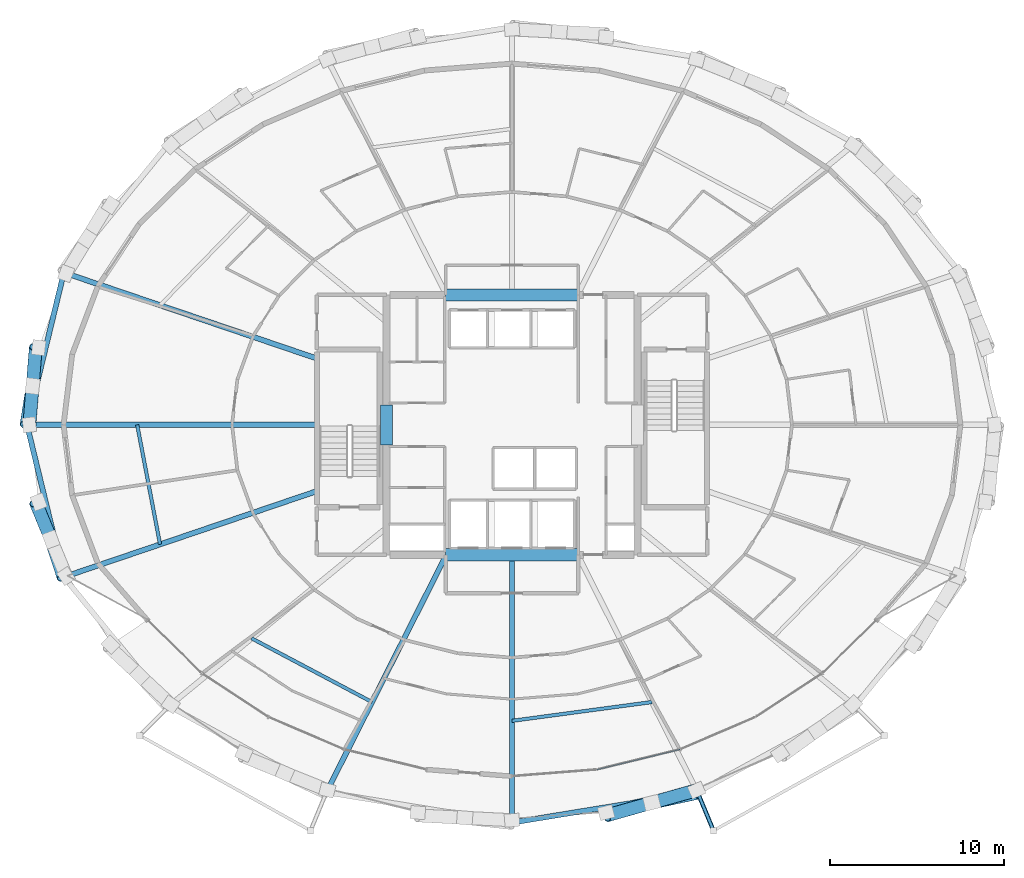
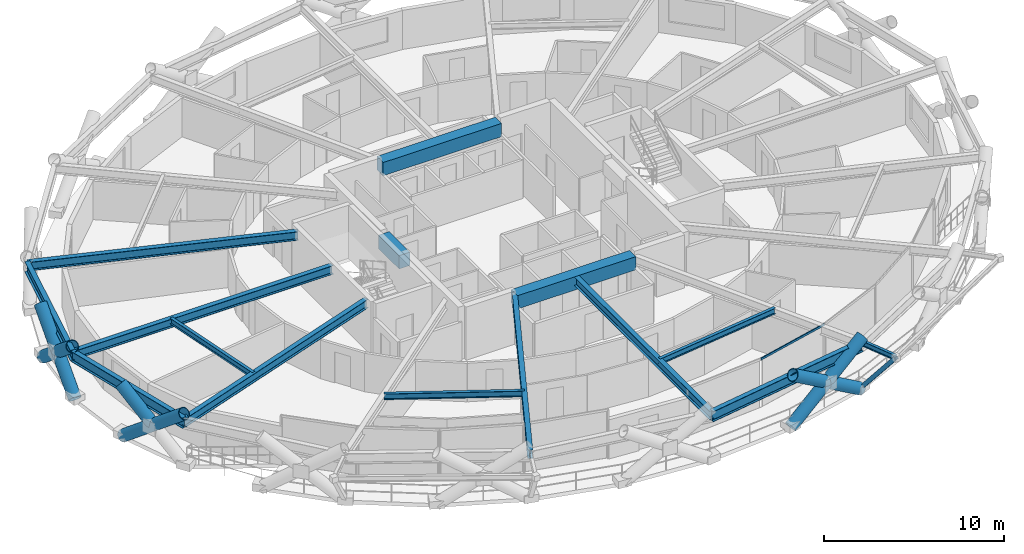
# One storey, part 5 of 19: 15 beams, 10 members, 1 element without a shape of its own.
"""IFC4 building model written with IfcOpenShell, lengths in metres."""

from ifc_helpers import new_model, si_unit, direction, frame, origin, origin_2d, place, context, subcontext, project, spatial, rectangle, hollow_rectangle, hollow_circle, i_section, extrude, material, layer, layer_set, material_profile, profile_set, type_object, element, aggregate, save


model = new_model("IFC4")

# Units and contexts
model_context = context("Model", 3, precision=1e-05, world=origin(), true_north=direction((0.0, 1.0)))
body_context = subcontext(model_context, "Body", "Model", "MODEL_VIEW")
ifc_project = project(units=[si_unit("LENGTHUNIT", "METRE"), si_unit("AREAUNIT", "SQUARE_METRE"), si_unit("VOLUMEUNIT", "CUBIC_METRE"), si_unit("PLANEANGLEUNIT", "RADIAN"), si_unit("MASSUNIT", "GRAM", prefix="KILO")], contexts=[model_context])

# Site, building, storey
site_placement = place(None, origin())
site = spatial("IfcSite", under=ifc_project, at=site_placement, CompositionType="ELEMENT")
building_placement = place(site_placement, origin())
building = spatial("IfcBuilding", under=site, at=building_placement, Name="Veldorina Hangang Commons", CompositionType="ELEMENT")
storey_placement = place(building_placement, frame((0.0, 0.0, 34.0)))
storey = spatial("IfcBuildingStorey", under=building, at=storey_placement, Name="L07", CompositionType="ELEMENT", Elevation=34.0)

# Beams
ifc_material_1 = material(Name="Concrete C70/85", Category="concrete")
ifc_material_profile_1 = material_profile(ifc_material_1, rectangle(XDim=0.699951171875, YDim=0.89990234375, at=origin_2d()), Name="RC-CB-700x900")
ifc_profile_set_1 = profile_set([ifc_material_profile_1], Name="Concrete C70/85")
beam_type_1 = type_object("IfcBeamType", Name="BM-CB900", PredefinedType="LINTEL", material=ifc_profile_set_1)
beam_1_placement = place(storey_placement, frame((24.800048828125, 22.85009765625, 2.889892578125), z_axis=(0.0, 1.0, 0.0), x_axis=(-1.0, 0.0, 0.0)))
element("IfcBeam", 1, at=beam_1_placement, inside=storey, type_object=beam_type_1, Name="L07 W core coupling lintel beam", PredefinedType="LINTEL", context=body_context, shape_type="SweptSolid", body=[
    extrude(rectangle(XDim=0.699951171875, YDim=0.89990234375, at=origin_2d()), origin(), (0.0, 0.0, 1.0), 2.2998046875),
])
for number, where, z_axis, x_axis, name in (
    (2, (28.199951171875, 16.550048828125, 2.889892578125), (1.0, 0.0, 0.0), (0.0, 1.0, 0.0), "L07 south core coupling beam"),
    (3, (28.199951171875, 31.449951171875, 2.889892578125), (1.0, 0.0, 0.0), (0.0, 1.0, 0.0), "L07 north core coupling beam"),
):
    element("IfcBeam", number, at=place(storey_placement, frame(where, z_axis=z_axis, x_axis=x_axis)), inside=storey, type_object=beam_type_1, Name=name, PredefinedType="LINTEL", context=body_context, shape_type="SweptSolid", body=[
        extrude(rectangle(XDim=0.699951171875, YDim=0.89990234375, at=origin_2d()), origin(), (0.0, 0.0, 1.0), 7.60009765625),
    ])
ifc_material_2 = material(Name="Steel SM355-TMC", Category="steel")
ifc_material_profile_2 = material_profile(ifc_material_2, i_section(OverallWidth=0.175048828125, OverallDepth=0.35009765625, WebThickness=0.007080078125, FlangeThickness=0.010986328125, FilletRadius=0.012939453125, at=origin_2d()), Name="H-350x175x7x11")
ifc_profile_set_2 = profile_set([ifc_material_profile_2], Name="Steel SM355-TMC")
beam_type_2 = type_object("IfcBeamType", Name="BM-FG350", PredefinedType="BEAM", material=ifc_profile_set_2)
beam_2_placement = place(storey_placement, frame((42.651611328125, 2.904296875, 3.1650390625), z_axis=(0.382630118564, -0.923901614008, 0.0), x_axis=(0.923901614008, 0.382630118564, 0.0)))
element("IfcBeam", 4, at=beam_2_placement, inside=storey, type_object=beam_type_2, Name="L08 tree balcony 2 bracket beam A", PredefinedType="BEAM", context=body_context, shape_type="SweptSolid", body=[
    extrude(i_section(OverallWidth=0.175048828125, OverallDepth=0.35009765625, WebThickness=0.007080078125, FlangeThickness=0.010986328125, FilletRadius=0.012939453125, at=origin_2d()), origin(), (0.0, 0.0, 1.0), 2.349853515625),
])
ifc_material_3 = material(Name="Steel SM460-TMC", Category="steel")
ifc_material_profile_3 = material_profile(ifc_material_3, i_section(OverallWidth=0.300048828125, OverallDepth=0.587890625, WebThickness=0.011962890625, FlangeThickness=0.02001953125, FilletRadius=0.01806640625, at=origin_2d()), Name="H-588x300x12x20")
ifc_profile_set_3 = profile_set([ifc_material_profile_3], Name="Steel SM460-TMC")
beam_type_3 = type_object("IfcBeamType", Name="BM-FG588", PredefinedType="BEAM", material=ifc_profile_set_3)
beam_3_placement = place(storey_placement, frame((20.820068359375, 27.798095703125, 3.0458984375), z_axis=(-0.946851377923, 0.321671366654, 0.0), x_axis=(-0.321671366654, -0.946851377923, 0.0)))
element("IfcBeam", 5, at=beam_3_placement, inside=storey, type_object=beam_type_3, Name="L07 radial floor girder 08", PredefinedType="BEAM", context=body_context, shape_type="SweptSolid", body=[
    extrude(i_section(OverallWidth=0.300048828125, OverallDepth=0.587890625, WebThickness=0.011962890625, FlangeThickness=0.02001953125, FilletRadius=0.01806640625, at=origin_2d()), origin(), (0.0, 0.0, 1.0), 15.32373046875),
])
beam_4_placement = place(storey_placement, frame((20.820068359375, 24.0, 3.0458984375), z_axis=(-1.0, 0.0, 0.0), x_axis=(0.0, -1.0, 0.0)))
element("IfcBeam", 6, at=beam_4_placement, inside=storey, type_object=beam_type_3, Name="L07 radial floor girder 09", PredefinedType="BEAM", context=body_context, shape_type="SweptSolid", body=[
    extrude(i_section(OverallWidth=0.300048828125, OverallDepth=0.587890625, WebThickness=0.011962890625, FlangeThickness=0.02001953125, FilletRadius=0.01806640625, at=origin_2d()), origin(), (0.0, 0.0, 1.0), 16.625732421875),
])
beam_5_placement = place(storey_placement, frame((20.820068359375, 20.201904296875, 3.0458984375), z_axis=(-0.946851377923, -0.321671366654, 0.0), x_axis=(0.321671366654, -0.946851377923, 0.0)))
element("IfcBeam", 7, at=beam_5_placement, inside=storey, type_object=beam_type_3, Name="L07 radial floor girder 10", PredefinedType="BEAM", context=body_context, shape_type="SweptSolid", body=[
    extrude(i_section(OverallWidth=0.300048828125, OverallDepth=0.587890625, WebThickness=0.011962890625, FlangeThickness=0.02001953125, FilletRadius=0.01806640625, at=origin_2d()), origin(), (0.0, 0.0, 1.0), 15.32373046875),
])
beam_6_placement = place(storey_placement, frame((28.237548828125, 16.550048828125, 3.0458984375), z_axis=(-0.450794213183, -0.892627905322, 0.0), x_axis=(0.892627905322, -0.450794213183, 0.0)))
element("IfcBeam", 8, at=beam_6_placement, inside=storey, type_object=beam_type_3, Name="L07 radial floor girder 12", PredefinedType="BEAM", context=body_context, shape_type="SweptSolid", body=[
    extrude(i_section(OverallWidth=0.300048828125, OverallDepth=0.587890625, WebThickness=0.011962890625, FlangeThickness=0.02001953125, FilletRadius=0.01806640625, at=origin_2d()), origin(), (0.0, 0.0, 1.0), 15.2578125),
])
beam_7_placement = place(storey_placement, frame((32.0, 16.550048828125, 3.0458984375), z_axis=(0.0, -1.0, 0.0), x_axis=(1.0, 0.0, 0.0)))
element("IfcBeam", 9, at=beam_7_placement, inside=storey, type_object=beam_type_3, Name="L07 radial floor girder 13", PredefinedType="BEAM", context=body_context, shape_type="SweptSolid", body=[
    extrude(i_section(OverallWidth=0.300048828125, OverallDepth=0.587890625, WebThickness=0.011962890625, FlangeThickness=0.02001953125, FilletRadius=0.01806640625, at=origin_2d()), origin(), (0.0, 0.0, 1.0), 15.355712890625),
])
ifc_material_profile_4 = material_profile(ifc_material_2, i_section(OverallWidth=0.199951171875, OverallDepth=0.39990234375, WebThickness=0.008056640625, FlangeThickness=0.012939453125, FilletRadius=0.012939453125, at=origin_2d()), Name="H-400x200x8x13")
ifc_profile_set_4 = profile_set([ifc_material_profile_4], Name="Steel SM355-TMC")
beam_type_4 = type_object("IfcBeamType", Name="BM-JST400", PredefinedType="JOIST", material=ifc_profile_set_4)
beam_8_placement = place(storey_placement, frame((10.51220703125, 24.0, 3.139892578125), z_axis=(0.188036370553, -0.982162065725, 0.0), x_axis=(0.982162065725, 0.188036370553, 0.0)))
element("IfcBeam", 10, at=beam_8_placement, inside=storey, type_object=beam_type_4, Name="L07 secondary floor joist 09", PredefinedType="JOIST", context=body_context, shape_type="SweptSolid", body=[
    extrude(i_section(OverallWidth=0.199951171875, OverallDepth=0.39990234375, WebThickness=0.008056640625, FlangeThickness=0.012939453125, FilletRadius=0.012939453125, at=origin_2d()), origin(), (0.0, 0.0, 1.0), 6.978759765625),
])
beam_9_placement = place(storey_placement, frame((17.07373046875, 11.7578125, 3.139892578125), z_axis=(0.883816061756, -0.467834553001, 0.0), x_axis=(0.467834553001, 0.883816061756, 0.0)))
element("IfcBeam", 11, at=beam_9_placement, inside=storey, type_object=beam_type_4, Name="L07 secondary floor joist 11", PredefinedType="JOIST", context=body_context, shape_type="SweptSolid", body=[
    extrude(i_section(OverallWidth=0.199951171875, OverallDepth=0.39990234375, WebThickness=0.008056640625, FlangeThickness=0.012939453125, FilletRadius=0.012939453125, at=origin_2d()), origin(), (0.0, 0.0, 1.0), 7.806396484375),
])
beam_10_placement = place(storey_placement, frame((32.0, 7.029541015625, 3.139892578125), z_axis=(0.991131805581, 0.132882444157, 0.0), x_axis=(-0.132882444157, 0.991131805581, 0.0)))
element("IfcBeam", 12, at=beam_10_placement, inside=storey, type_object=beam_type_4, Name="L07 secondary floor joist 13", PredefinedType="JOIST", context=body_context, shape_type="SweptSolid", body=[
    extrude(i_section(OverallWidth=0.199951171875, OverallDepth=0.39990234375, WebThickness=0.008056640625, FlangeThickness=0.012939453125, FilletRadius=0.012939453125, at=origin_2d()), origin(), (0.0, 0.0, 1.0), 8.0986328125),
])
ifc_material_profile_5 = material_profile(ifc_material_3, i_section(OverallWidth=0.300048828125, OverallDepth=0.699951171875, WebThickness=0.012939453125, FlangeThickness=0.02392578125, FilletRadius=0.02197265625, at=origin_2d()), Name="H-700x300x13x24")
ifc_profile_set_5 = profile_set([ifc_material_profile_5], Name="Steel SM460-TMC")
beam_type_5 = type_object("IfcBeamType", Name="BM-RB700", PredefinedType="BEAM", material=ifc_profile_set_5)
for number, where, z_axis, x_axis, name in (
    (13, (6.310791015625, 32.727294921875, 2.989990234375), (-0.235678613021, -0.971831050834, 0.0), (0.971831050834, -0.235678613021, 0.0), "L07 perimeter hoop ring beam 14"),
    (14, (4.1943359375, 24.0, 2.989990234375), (0.235678613021, -0.971831050834, 0.0), (0.971831050834, 0.235678613021, 0.0), "L07 perimeter hoop ring beam 16"),
):
    element("IfcBeam", number, at=place(storey_placement, frame(where, z_axis=z_axis, x_axis=x_axis)), inside=storey, type_object=beam_type_5, Name=name, PredefinedType="BEAM", context=body_context, shape_type="SweptSolid", body=[
        extrude(i_section(OverallWidth=0.300048828125, OverallDepth=0.699951171875, WebThickness=0.012939453125, FlangeThickness=0.02392578125, FilletRadius=0.02197265625, at=origin_2d()), origin(), (0.0, 0.0, 1.0), 8.980224609375),
    ])
beam_11_placement = place(storey_placement, frame((32.0, 1.1943359375, 2.989990234375), z_axis=(0.986949998881, 0.161027015465, 0.0), x_axis=(-0.161027015465, 0.986949998881, 0.0)))
element("IfcBeam", 15, at=beam_11_placement, inside=storey, type_object=beam_type_5, Name="L07 perimeter hoop ring beam 24", PredefinedType="BEAM", context=body_context, shape_type="SweptSolid", body=[
    extrude(i_section(OverallWidth=0.300048828125, OverallDepth=0.699951171875, WebThickness=0.012939453125, FlangeThickness=0.02392578125, FilletRadius=0.02197265625, at=origin_2d()), origin(), (0.0, 0.0, 1.0), 10.78125),
])

# Curtain wall, member
ifc_material_4 = material(Name="Glass Low-E Triple IGU", Category="glass")
ifc_layer = layer(ifc_material_4, 0.179931640625)
ifc_layer_set = layer_set([ifc_layer], Name="Glass Low-E Triple IGU")
curtain_wall_type = type_object("IfcCurtainWallType", Name="CW-SYS-Z1", PredefinedType="NOTDEFINED", material=ifc_layer_set)
curtain_wall_placement = place(storey_placement, origin())
curtain_wall = element("IfcCurtainWall", 16, at=curtain_wall_placement, inside=storey, type_object=curtain_wall_type, Name="L07 unitised curtain wall CW-L07-R2", PredefinedType="NOTDEFINED")
ifc_material_5 = material(Name="Aluminium Anodized AA6063-T6", Category="aluminium")
ifc_material_profile_6 = material_profile(ifc_material_5, hollow_rectangle(XDim=0.06005859375, YDim=0.139892578125, WallThickness=0.00341796875, at=origin_2d()), Name="ALU-RHS-140x60x3.5")
ifc_profile_set_6 = profile_set([ifc_material_profile_6], Name="Aluminium Anodized AA6063-T6")
member_type_1 = type_object("IfcMemberType", Name="CW-TRN-140", PredefinedType="USERDEFINED", material=ifc_profile_set_6)
member_1_placement = place(storey_placement, frame((36.906005859375, 4.2392578125, 3.260009765625), z_axis=(0.971718767639, 0.236141137075, 0.0), x_axis=(-0.236141137075, 0.971718767639, 0.0)))
member_1 = element("IfcMember", 17, at=member_1_placement, type_object=member_type_1, Name="CW-L07-R2 facet 2 transom 1", ObjectType="TRANSOM", PredefinedType="USERDEFINED", context=body_context, shape_type="SweptSolid", body=[
    extrude(hollow_rectangle(XDim=0.06005859375, YDim=0.139892578125, WallThickness=0.00341796875, at=origin_2d()), origin(), (0.0, 0.0, 1.0), 4.85498046875),
])
aggregate(curtain_wall, [member_1])

# Members
ifc_material_profile_7 = material_profile(ifc_material_3, hollow_circle(Radius=0.375, WallThickness=0.035888671875, at=origin_2d()), Name="CHS-750x36")
ifc_profile_set_7 = profile_set([ifc_material_profile_7], Name="Steel SM460-TMC")
member_type_2 = type_object("IfcMemberType", Name="DG-CHS750", PredefinedType="BRACE", material=ifc_profile_set_7)
member_2_placement = place(storey_placement, frame((4.86376953125, 28.42236328125, 0.0), z_axis=(-0.121412550373, -0.769781917203, 0.62665364641), x_axis=(0.987789038346, -0.155797354673, 0.0)))
element("IfcMember", 18, at=member_2_placement, inside=storey, type_object=member_type_2, Name="L07 continuous perimeter diagrid brace 15", PredefinedType="BRACE", context=body_context, shape_type="SweptSolid", body=[
    extrude(hollow_circle(Radius=0.375, WallThickness=0.035888671875, at=origin_2d()), origin(), (0.0, 0.0, 1.0), 5.744873046875),
])
member_3_placement = place(storey_placement, frame((4.33203125, 24.0, 0.0), z_axis=(0.064380905709, 0.776157072806, 0.627244208673), x_axis=(-0.996577441579, 0.082664399445, 0.0)))
element("IfcMember", 19, at=member_3_placement, inside=storey, type_object=member_type_2, Name="L07 split perimeter diagrid lower brace 16", PredefinedType="BRACE", context=body_context, shape_type="SweptSolid", body=[
    extrude(hollow_circle(Radius=0.375, WallThickness=0.035888671875, at=origin_2d()), origin(), (0.0, 0.0, 1.0), 2.859375),
])
member_4_placement = place(storey_placement, frame((4.51611328125, 26.21923828125, 1.79345703125), z_axis=(0.064169738102, 0.776140187663, 0.627286739702), x_axis=(-0.996599595164, 0.082396886581, 0.0)))
element("IfcMember", 20, at=member_4_placement, inside=storey, type_object=member_type_2, Name="L07 split perimeter diagrid upper brace 16", PredefinedType="BRACE", context=body_context, shape_type="SweptSolid", body=[
    extrude(hollow_circle(Radius=0.375, WallThickness=0.035888671875, at=origin_2d()), origin(), (0.0, 0.0, 1.0), 2.880126953125),
])
member_5_placement = place(storey_placement, frame((4.86376953125, 19.57763671875, 0.0), z_axis=(0.24515072485, -0.744464759177, 0.621026041683), x_axis=(0.949826898722, 0.312776058011, 0.0)))
element("IfcMember", 21, at=member_5_placement, inside=storey, type_object=member_type_2, Name="L07 continuous perimeter diagrid brace 17", PredefinedType="BRACE", context=body_context, shape_type="SweptSolid", body=[
    extrude(hollow_circle(Radius=0.375, WallThickness=0.035888671875, at=origin_2d()), origin(), (0.0, 0.0, 1.0), 5.797119140625),
])
member_6_placement = place(storey_placement, frame((5.57177734375, 17.427490234375, 1.793701171875), z_axis=(-0.298575470735, 0.726140232304, 0.619332746837), x_axis=(-0.924867868196, -0.38028860932, 0.0)))
element("IfcMember", 22, at=member_6_placement, inside=storey, type_object=member_type_2, Name="L07 split perimeter diagrid upper brace 18", PredefinedType="BRACE", context=body_context, shape_type="SweptSolid", body=[
    extrude(hollow_circle(Radius=0.375, WallThickness=0.035888671875, at=origin_2d()), origin(), (0.0, 0.0, 1.0), 2.916748046875),
])
member_7_placement = place(storey_placement, frame((37.397705078125, 1.767578125, 0.0), z_axis=(0.812085155488, 0.175700208362, 0.556459465745), x_axis=(-0.211464130705, 0.977385758759, 0.0)))
element("IfcMember", 23, at=member_7_placement, inside=storey, type_object=member_type_2, Name="L07 continuous perimeter diagrid brace 25", PredefinedType="BRACE", context=body_context, shape_type="SweptSolid", body=[
    extrude(hollow_circle(Radius=0.375, WallThickness=0.035888671875, at=origin_2d()), origin(), (0.0, 0.0, 1.0), 6.4697265625),
])
member_8_placement = place(storey_placement, frame((42.587890625, 3.0576171875, 0.0), z_axis=(-0.799026989755, -0.22479272414, 0.557695347673), x_axis=(0.270819689103, -0.962630093023, 0.0)))
element("IfcMember", 24, at=member_8_placement, inside=storey, type_object=member_type_2, Name="L07 split perimeter diagrid lower brace 26", PredefinedType="BRACE", context=body_context, shape_type="SweptSolid", body=[
    extrude(hollow_circle(Radius=0.375, WallThickness=0.035888671875, at=origin_2d()), origin(), (0.0, 0.0, 1.0), 3.218017578125),
])
member_9_placement = place(storey_placement, frame((40.0166015625, 2.334228515625, 1.794677734375), z_axis=(-0.798913682477, -0.225255349213, 0.557671010187), x_axis=(0.271371692122, -0.962474625491, 0.0)))
element("IfcMember", 25, at=member_9_placement, inside=storey, type_object=member_type_2, Name="L07 split perimeter diagrid upper brace 26", PredefinedType="BRACE", context=body_context, shape_type="SweptSolid", body=[
    extrude(hollow_circle(Radius=0.375, WallThickness=0.035888671875, at=origin_2d()), origin(), (0.0, 0.0, 1.0), 3.237548828125),
])
ifc_material_profile_8 = material_profile(ifc_material_2, hollow_rectangle(XDim=0.25, YDim=0.25, WallThickness=0.011962890625, at=origin_2d()), Name="SHS-250x250x12")
ifc_profile_set_8 = profile_set([ifc_material_profile_8], Name="Steel SM355-TMC")
member_type_3 = type_object("IfcMemberType", Name="STR-SHS250", PredefinedType="STRUT", material=ifc_profile_set_8)
member_10_placement = place(storey_placement, frame((42.587890625, 3.0576171875, 0.0), z_axis=(0.238148501724, -0.574901593539, 0.782798472707), x_axis=(0.923870177641, 0.382706016239, 0.0)))
element("IfcMember", 26, at=member_10_placement, inside=storey, type_object=member_type_3, Name="L08 tree balcony 2 raking knee strut A", PredefinedType="STRUT", context=body_context, shape_type="SweptSolid", body=[
    extrude(hollow_rectangle(XDim=0.25, YDim=0.25, WallThickness=0.011962890625, at=origin_2d()), origin(), (0.0, 0.0, 1.0), 4.043212890625),
])

save(model, "model.ifc")
